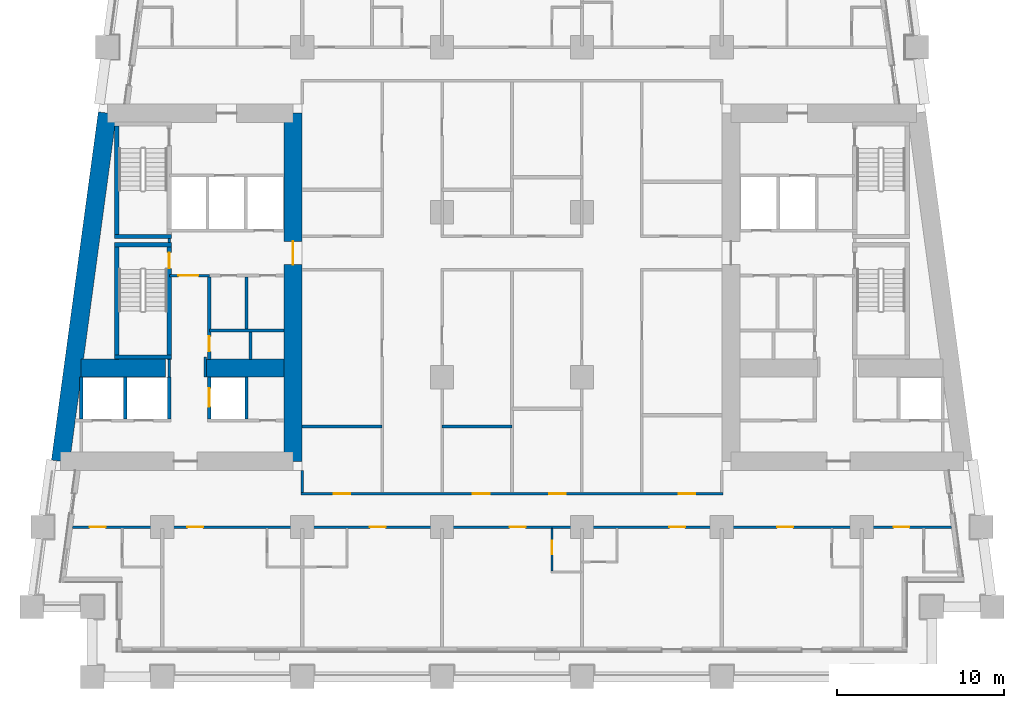
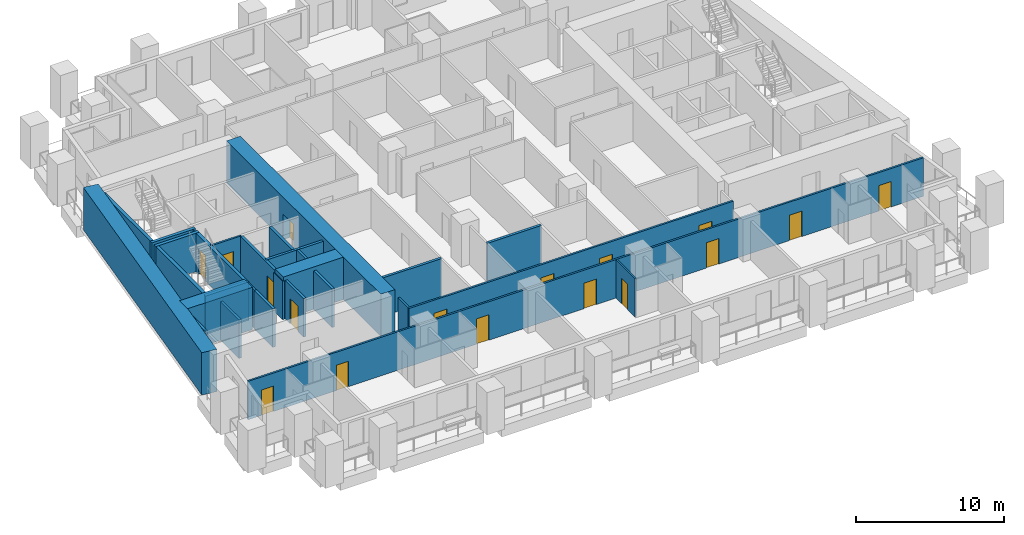
# One storey, part 3 of 13: 29 walls, 17 doors, 17 openings.
"""IFC4 building model written with IfcOpenShell, lengths in metres."""

from ifc_helpers import new_model, si_unit, direction, frame, frame_2d, origin, place, context, subcontext, project, spatial, rectangle, extrude, material, layer, layer_set, type_object, element, fill, save


model = new_model("IFC4")

# Units and contexts
model_context = context("Model", 3, precision=1e-05, world=origin(), true_north=direction((0.0, 1.0)))
body_context = subcontext(model_context, "Body", "Model", "MODEL_VIEW")
ifc_project = project(units=[si_unit("LENGTHUNIT", "METRE"), si_unit("AREAUNIT", "SQUARE_METRE"), si_unit("VOLUMEUNIT", "CUBIC_METRE"), si_unit("PLANEANGLEUNIT", "RADIAN"), si_unit("MASSUNIT", "GRAM", prefix="KILO")], contexts=[model_context])

# Site, building, storey
site_placement = place(None, origin())
site = spatial("IfcSite", under=ifc_project, at=site_placement, CompositionType="ELEMENT")
building_placement = place(site_placement, origin())
building = spatial("IfcBuilding", under=site, at=building_placement, Name="Candeia Pilgrim Tower and Theatre", CompositionType="ELEMENT")
storey_placement = place(building_placement, frame((0.0, 0.0, 63.5)))
storey = spatial("IfcBuildingStorey", under=building, at=storey_placement, Name="L13", CompositionType="ELEMENT", Elevation=63.5)

# Wall, opening, door
ifc_material_1 = material(Name="Concrete C80/95", Category="concrete")
ifc_layer_1 = layer(ifc_material_1, 1.10009765625)
ifc_layer_set_1 = layer_set([ifc_layer_1], Name="Core wall 1100 C80/95")
wall_type_1 = type_object("IfcWallType", Name="Core wall 1100 C80/95", PredefinedType="SHEAR", material=ifc_layer_set_1)
wall_1_placement = place(storey_placement, frame((100.25, 131.85009765625, 0.0), z_axis=(0.0, 0.0, 1.0), x_axis=(0.0, -1.0, 0.0)))
wall_1 = element("IfcWall", 1, at=wall_1_placement, inside=storey, type_object=wall_type_1, Name="Core wall W2", PredefinedType="SHEAR", context=body_context, shape_type="SweptSolid", body=[
    extrude(rectangle(XDim=20.900146484375, YDim=1.10009765625, at=frame_2d((10.4501953125, 0.0))), origin(), (0.0, 0.0, 1.0), 3.5),
])
opening_1_placement = place(wall_1_placement, frame((7.699951171875, 0.0, 0.0)))
opening_1 = element("IfcOpeningElement", 2, at=opening_1_placement, cuts=wall_1, Name="Opening L13-D061", PredefinedType="OPENING", context=body_context, shape_type="SweptSolid", body=[
    extrude(rectangle(XDim=1.39990234375, YDim=2.10009765625, at=frame_2d((0.699951171875, 1.050048828125))), frame((0.0, 0.56005859375, 0.0), z_axis=(0.0, -1.0, 0.0), x_axis=(1.0, 0.0, 0.0)), (0.0, 0.0, 1.0), 1.1201171875),
])
ifc_material_2 = material(Name="Steel fire door set", Category="steel")
door_type_1 = type_object("IfcDoorType", Name="D-1400-FD60", OperationType="NOTDEFINED", PredefinedType="DOOR", material=ifc_material_2)
door_1_placement = place(opening_1_placement, origin())
door_1 = element("IfcDoor", 3, at=door_1_placement, inside=storey, type_object=door_type_1, Name="Door L13-D061", OperationType="SINGLE_SWING_RIGHT", OverallHeight=2.10009765625, OverallWidth=1.39990234375, PredefinedType="DOOR", context=body_context, shape_type="SweptSolid", body=[
    extrude(rectangle(XDim=1.39990234375, YDim=2.10009765625, at=frame_2d((0.699951171875, 1.050048828125))), frame((0.0, 0.02490234375, 0.0), z_axis=(0.0, -1.0, 0.0), x_axis=(1.0, 0.0, 0.0)), (0.0, 0.0, 1.0), 0.050048828125),
])
fill(opening_1, door_1)

# Walls
wall_2_placement = place(storey_placement, frame((86.29833984375, 110.949951171875, 0.0), z_axis=(0.0, 0.0, 1.0), x_axis=(0.133400422634, 0.99106222168, 0.0)))
element("IfcWall", 4, at=wall_2_placement, inside=storey, type_object=wall_type_1, Name="Core wall W4", PredefinedType="SHEAR", context=body_context, shape_type="SweptSolid", body=[
    extrude(rectangle(XDim=21.088623046875, YDim=1.10009765625, at=frame_2d((10.54443359375, 0.0))), origin(), (0.0, 0.0, 1.0), 3.5),
])
wall_3_placement = place(storey_placement, frame((87.523193359375, 116.550048828125, 0.0), z_axis=(0.0, 0.0, 1.0), x_axis=(1.0, 0.0, 0.0)))
element("IfcWall", 5, at=wall_3_placement, inside=storey, type_object=wall_type_1, Name="Core wall W5", PredefinedType="SHEAR", context=body_context, shape_type="SweptSolid", body=[
    extrude(rectangle(XDim=5.076904296875, YDim=1.10009765625, at=frame_2d((2.53857421875, 0.0))), origin(), (0.0, 0.0, 1.0), 3.5),
])
wall_4_placement = place(storey_placement, frame((95.0, 116.550048828125, 0.0), z_axis=(0.0, 0.0, 1.0), x_axis=(1.0, 0.0, 0.0)))
element("IfcWall", 6, at=wall_4_placement, inside=storey, type_object=wall_type_1, Name="Core wall W6", PredefinedType="SHEAR", context=body_context, shape_type="SweptSolid", body=[
    extrude(rectangle(XDim=4.699951171875, YDim=1.10009765625, at=frame_2d((2.35009765625, 0.0))), origin(), (0.0, 0.0, 1.0), 3.5),
])

# Wall, opening, door
ifc_material_3 = material(Name="Gypsum board partition on steel studs", Category="steel")
ifc_layer_2 = layer(ifc_material_3, 0.10009765625)
ifc_layer_set_2 = layer_set([ifc_layer_2], Name="PW-100 room partition")
wall_type_2 = type_object("IfcWallType", Name="PW-100 room partition", PredefinedType="PARTITIONING", material=ifc_layer_set_2)
wall_5_placement = place(storey_placement, frame((115.800048828125, 104.35009765625, 0.0), z_axis=(0.0, 0.0, 1.0), x_axis=(0.0, 1.0, 0.0)))
wall_5 = element("IfcWall", 7, at=wall_5_placement, inside=storey, type_object=wall_type_2, Name="Room partition L13-092", PredefinedType="PARTITIONING", context=body_context, shape_type="SweptSolid", body=[
    extrude(rectangle(XDim=2.574951171875, YDim=0.10009765625, at=frame_2d((1.28759765625, 0.0))), origin(), (0.0, 0.0, 1.0), 3.179931640625),
])
opening_2_placement = place(wall_5_placement, frame((1.02001953125, 0.0, 0.0)))
opening_2 = element("IfcOpeningElement", 8, at=opening_2_placement, cuts=wall_5, Name="Opening L13-D023", PredefinedType="OPENING", context=body_context, shape_type="SweptSolid", body=[
    extrude(rectangle(XDim=0.800048828125, YDim=2.10009765625, at=frame_2d((0.39990234375, 1.050048828125))), frame((0.0, 0.06005859375, 0.0), z_axis=(0.0, -1.0, 0.0), x_axis=(1.0, 0.0, 0.0)), (0.0, 0.0, 1.0), 0.1201171875),
])
ifc_material_4 = material(Name="Timber door leaf", Category="wood")
door_type_2 = type_object("IfcDoorType", Name="D-800", OperationType="NOTDEFINED", PredefinedType="DOOR", material=ifc_material_4)
door_2_placement = place(opening_2_placement, origin())
door_2 = element("IfcDoor", 9, at=door_2_placement, inside=storey, type_object=door_type_2, Name="Door L13-D023", OperationType="SINGLE_SWING_RIGHT", OverallHeight=2.10009765625, OverallWidth=0.800048828125, PredefinedType="DOOR", context=body_context, shape_type="SweptSolid", body=[
    extrude(rectangle(XDim=0.800048828125, YDim=2.10009765625, at=frame_2d((0.39990234375, 1.050048828125))), frame((0.0, 0.02490234375, 0.0), z_axis=(0.0, -1.0, 0.0), x_axis=(1.0, 0.0, 0.0)), (0.0, 0.0, 1.0), 0.050048828125),
])
fill(opening_2, door_2)

ifc_layer_3 = layer(ifc_material_3, 0.14990234375)
ifc_layer_set_3 = layer_set([ifc_layer_3], Name="PW-150 lobby wall")
wall_type_3 = type_object("IfcWallType", Name="PW-150 lobby wall", PredefinedType="PARTITIONING", material=ifc_layer_set_3)
wall_6_placement = place(storey_placement, frame((92.826904296875, 122.10009765625, 0.0), z_axis=(0.0, 0.0, 1.0), x_axis=(1.0, 0.0, 0.0)))
wall_6 = element("IfcWall", 10, at=wall_6_placement, inside=storey, type_object=wall_type_3, Name="Lobby wall L13-023", PredefinedType="PARTITIONING", context=body_context, shape_type="SweptSolid", body=[
    extrude(rectangle(XDim=2.400146484375, YDim=0.14990234375, at=frame_2d((1.2001953125, 0.0))), origin(), (0.0, 0.0, 1.0), 3.179931640625),
])
opening_3_placement = place(wall_6_placement, frame((0.550048828125, 0.0, 0.0)))
opening_3 = element("IfcOpeningElement", 11, at=opening_3_placement, cuts=wall_6, Name="Opening L13-D001", PredefinedType="OPENING", context=body_context, shape_type="SweptSolid", body=[
    extrude(rectangle(XDim=1.199951171875, YDim=2.10009765625, at=frame_2d((0.60009765625, 1.050048828125))), frame((0.0, 0.0849609375, 0.0), z_axis=(0.0, -1.0, 0.0), x_axis=(1.0, 0.0, 0.0)), (0.0, 0.0, 1.0), 0.169921875),
])
door_type_3 = type_object("IfcDoorType", Name="D-1200-FD60", OperationType="NOTDEFINED", PredefinedType="DOOR", material=ifc_material_2)
door_3_placement = place(opening_3_placement, origin())
door_3 = element("IfcDoor", 12, at=door_3_placement, inside=storey, type_object=door_type_3, Name="Door L13-D001", OperationType="SINGLE_SWING_RIGHT", OverallHeight=2.10009765625, OverallWidth=1.199951171875, PredefinedType="DOOR", context=body_context, shape_type="SweptSolid", body=[
    extrude(rectangle(XDim=1.199951171875, YDim=2.10009765625, at=frame_2d((0.60009765625, 1.050048828125))), frame((0.0, 0.02490234375, 0.0), z_axis=(0.0, -1.0, 0.0), x_axis=(1.0, 0.0, 0.0)), (0.0, 0.0, 1.0), 0.050048828125),
])
fill(opening_3, door_3)

# Walls
wall_7_placement = place(storey_placement, frame((92.826904296875, 116.0, 0.0), z_axis=(0.0, 0.0, 1.0), x_axis=(0.0, 1.0, 0.0)))
element("IfcWall", 13, at=wall_7_placement, inside=storey, type_object=wall_type_3, Name="Lobby wall L13-062", PredefinedType="PARTITIONING", context=body_context, shape_type="SweptSolid", body=[
    extrude(rectangle(XDim=1.070068359375, YDim=0.14990234375, at=frame_2d((0.53515625, 0.0))), origin(), (0.0, 0.0, 1.0), 3.179931640625),
])
wall_8_placement = place(storey_placement, frame((92.826904296875, 124.074951171875, 0.0), z_axis=(0.0, 0.0, 1.0), x_axis=(0.0, 1.0, 0.0)))
element("IfcWall", 14, at=wall_8_placement, inside=storey, type_object=wall_type_3, Name="Lobby wall L13-063", PredefinedType="PARTITIONING", context=body_context, shape_type="SweptSolid", body=[
    extrude(rectangle(XDim=0.25, YDim=0.14990234375, at=frame_2d((0.125, 0.0))), origin(), (0.0, 0.0, 1.0), 3.179931640625),
])
wall_9_placement = place(storey_placement, frame((95.0, 116.0, 0.0), z_axis=(0.0, 0.0, 1.0), x_axis=(0.0, 1.0, 0.0)))
element("IfcWall", 15, at=wall_9_placement, inside=storey, type_object=wall_type_3, Name="Lobby wall L13-067", PredefinedType="PARTITIONING", context=body_context, shape_type="SweptSolid", body=[
    extrude(rectangle(XDim=1.199951171875, YDim=0.14990234375, at=frame_2d((0.60009765625, 0.0))), origin(), (0.0, 0.0, 1.0), 3.179931640625),
])

# Wall, openings, doors
ifc_layer_4 = layer(ifc_material_3, 0.14990234375)
ifc_layer_set_4 = layer_set([ifc_layer_4], Name="PW-150 unit wall")
wall_type_4 = type_object("IfcWallType", Name="PW-150 unit wall", PredefinedType="PARTITIONING", material=ifc_layer_set_4)
wall_10_placement = place(storey_placement, frame((87.017578125, 107.0, 0.0), z_axis=(0.0, 0.0, 1.0), x_axis=(1.0, 0.0, 0.0)))
wall_10 = element("IfcWall", 16, at=wall_10_placement, inside=storey, type_object=wall_type_4, Name="Unit wall L13-007", PredefinedType="PARTITIONING", context=body_context, shape_type="SweptSolid", body=[
    extrude(rectangle(XDim=52.7646484375, YDim=0.14990234375, at=frame_2d((26.38232421875, 0.0))), origin(), (0.0, 0.0, 1.0), 3.179931640625),
])
opening_4_placement = place(wall_10_placement, frame((1.0322265625, 0.0, 0.0)))
opening_4 = element("IfcOpeningElement", 17, at=opening_4_placement, cuts=wall_10, Name="Opening L13-D016", PredefinedType="OPENING", context=body_context, shape_type="SweptSolid", body=[
    extrude(rectangle(XDim=0.949951171875, YDim=2.10009765625, at=frame_2d((0.47509765625, 1.050048828125))), frame((0.0, 0.0849609375, 0.0), z_axis=(0.0, -1.0, 0.0), x_axis=(1.0, 0.0, 0.0)), (0.0, 0.0, 1.0), 0.169921875),
])
opening_5_placement = place(wall_10_placement, frame((6.894287109375, 0.0, 0.0)))
opening_5 = element("IfcOpeningElement", 18, at=opening_5_placement, cuts=wall_10, Name="Opening L13-D018", PredefinedType="OPENING", context=body_context, shape_type="SweptSolid", body=[
    extrude(rectangle(XDim=0.949951171875, YDim=2.10009765625, at=frame_2d((0.47509765625, 1.050048828125))), frame((0.0, 0.0849609375, 0.0), z_axis=(0.0, -1.0, 0.0), x_axis=(1.0, 0.0, 0.0)), (0.0, 0.0, 1.0), 0.169921875),
])
opening_6_placement = place(wall_10_placement, frame((17.84423828125, 0.0, 0.0)))
opening_6 = element("IfcOpeningElement", 19, at=opening_6_placement, cuts=wall_10, Name="Opening L13-D020", PredefinedType="OPENING", context=body_context, shape_type="SweptSolid", body=[
    extrude(rectangle(XDim=0.949951171875, YDim=2.10009765625, at=frame_2d((0.47509765625, 1.050048828125))), frame((0.0, 0.0849609375, 0.0), z_axis=(0.0, -1.0, 0.0), x_axis=(1.0, 0.0, 0.0)), (0.0, 0.0, 1.0), 0.169921875),
])
opening_7_placement = place(wall_10_placement, frame((26.245361328125, 0.0, 0.0)))
opening_7 = element("IfcOpeningElement", 20, at=opening_7_placement, cuts=wall_10, Name="Opening L13-D022", PredefinedType="OPENING", context=body_context, shape_type="SweptSolid", body=[
    extrude(rectangle(XDim=0.949951171875, YDim=2.10009765625, at=frame_2d((0.47509765625, 1.050048828125))), frame((0.0, 0.0849609375, 0.0), z_axis=(0.0, -1.0, 0.0), x_axis=(1.0, 0.0, 0.0)), (0.0, 0.0, 1.0), 0.169921875),
])
opening_8_placement = place(wall_10_placement, frame((35.822265625, 0.0, 0.0)))
opening_8 = element("IfcOpeningElement", 21, at=opening_8_placement, cuts=wall_10, Name="Opening L13-D024", PredefinedType="OPENING", context=body_context, shape_type="SweptSolid", body=[
    extrude(rectangle(XDim=0.949951171875, YDim=2.10009765625, at=frame_2d((0.47509765625, 1.050048828125))), frame((0.0, 0.0849609375, 0.0), z_axis=(0.0, -1.0, 0.0), x_axis=(1.0, 0.0, 0.0)), (0.0, 0.0, 1.0), 0.169921875),
])
opening_9_placement = place(wall_10_placement, frame((42.30224609375, 0.0, 0.0)))
opening_9 = element("IfcOpeningElement", 22, at=opening_9_placement, cuts=wall_10, Name="Opening L13-D026", PredefinedType="OPENING", context=body_context, shape_type="SweptSolid", body=[
    extrude(rectangle(XDim=0.949951171875, YDim=2.10009765625, at=frame_2d((0.47509765625, 1.050048828125))), frame((0.0, 0.0849609375, 0.0), z_axis=(0.0, -1.0, 0.0), x_axis=(1.0, 0.0, 0.0)), (0.0, 0.0, 1.0), 0.169921875),
])
opening_10_placement = place(wall_10_placement, frame((49.285400390625, 0.0, 0.0)))
opening_10 = element("IfcOpeningElement", 23, at=opening_10_placement, cuts=wall_10, Name="Opening L13-D028", PredefinedType="OPENING", context=body_context, shape_type="SweptSolid", body=[
    extrude(rectangle(XDim=0.949951171875, YDim=2.10009765625, at=frame_2d((0.47509765625, 1.050048828125))), frame((0.0, 0.0849609375, 0.0), z_axis=(0.0, -1.0, 0.0), x_axis=(1.0, 0.0, 0.0)), (0.0, 0.0, 1.0), 0.169921875),
])
door_type_4 = type_object("IfcDoorType", Name="D-950-FD30S", OperationType="NOTDEFINED", PredefinedType="DOOR", material=ifc_material_2)
door_4_placement = place(opening_4_placement, origin())
door_4 = element("IfcDoor", 24, at=door_4_placement, inside=storey, type_object=door_type_4, Name="Door L13-D016", OperationType="SINGLE_SWING_LEFT", OverallHeight=2.10009765625, OverallWidth=0.949951171875, PredefinedType="DOOR", context=body_context, shape_type="SweptSolid", body=[
    extrude(rectangle(XDim=0.949951171875, YDim=2.10009765625, at=frame_2d((0.47509765625, 1.050048828125))), frame((0.0, 0.02490234375, 0.0), z_axis=(0.0, -1.0, 0.0), x_axis=(1.0, 0.0, 0.0)), (0.0, 0.0, 1.0), 0.050048828125),
])
fill(opening_4, door_4)
door_5_placement = place(opening_5_placement, origin())
door_5 = element("IfcDoor", 25, at=door_5_placement, inside=storey, type_object=door_type_4, Name="Door L13-D018", OperationType="SINGLE_SWING_LEFT", OverallHeight=2.10009765625, OverallWidth=0.949951171875, PredefinedType="DOOR", context=body_context, shape_type="SweptSolid", body=[
    extrude(rectangle(XDim=0.949951171875, YDim=2.10009765625, at=frame_2d((0.47509765625, 1.050048828125))), frame((0.0, 0.02490234375, 0.0), z_axis=(0.0, -1.0, 0.0), x_axis=(1.0, 0.0, 0.0)), (0.0, 0.0, 1.0), 0.050048828125),
])
fill(opening_5, door_5)
door_6_placement = place(opening_6_placement, origin())
door_6 = element("IfcDoor", 26, at=door_6_placement, inside=storey, type_object=door_type_4, Name="Door L13-D020", OperationType="SINGLE_SWING_LEFT", OverallHeight=2.10009765625, OverallWidth=0.949951171875, PredefinedType="DOOR", context=body_context, shape_type="SweptSolid", body=[
    extrude(rectangle(XDim=0.949951171875, YDim=2.10009765625, at=frame_2d((0.47509765625, 1.050048828125))), frame((0.0, 0.02490234375, 0.0), z_axis=(0.0, -1.0, 0.0), x_axis=(1.0, 0.0, 0.0)), (0.0, 0.0, 1.0), 0.050048828125),
])
fill(opening_6, door_6)
door_7_placement = place(opening_7_placement, origin())
door_7 = element("IfcDoor", 27, at=door_7_placement, inside=storey, type_object=door_type_4, Name="Door L13-D022", OperationType="SINGLE_SWING_LEFT", OverallHeight=2.10009765625, OverallWidth=0.949951171875, PredefinedType="DOOR", context=body_context, shape_type="SweptSolid", body=[
    extrude(rectangle(XDim=0.949951171875, YDim=2.10009765625, at=frame_2d((0.47509765625, 1.050048828125))), frame((0.0, 0.02490234375, 0.0), z_axis=(0.0, -1.0, 0.0), x_axis=(1.0, 0.0, 0.0)), (0.0, 0.0, 1.0), 0.050048828125),
])
fill(opening_7, door_7)
door_8_placement = place(opening_8_placement, origin())
door_8 = element("IfcDoor", 28, at=door_8_placement, inside=storey, type_object=door_type_4, Name="Door L13-D024", OperationType="SINGLE_SWING_LEFT", OverallHeight=2.10009765625, OverallWidth=0.949951171875, PredefinedType="DOOR", context=body_context, shape_type="SweptSolid", body=[
    extrude(rectangle(XDim=0.949951171875, YDim=2.10009765625, at=frame_2d((0.47509765625, 1.050048828125))), frame((0.0, 0.02490234375, 0.0), z_axis=(0.0, -1.0, 0.0), x_axis=(1.0, 0.0, 0.0)), (0.0, 0.0, 1.0), 0.050048828125),
])
fill(opening_8, door_8)
door_9_placement = place(opening_9_placement, origin())
door_9 = element("IfcDoor", 29, at=door_9_placement, inside=storey, type_object=door_type_4, Name="Door L13-D026", OperationType="SINGLE_SWING_LEFT", OverallHeight=2.10009765625, OverallWidth=0.949951171875, PredefinedType="DOOR", context=body_context, shape_type="SweptSolid", body=[
    extrude(rectangle(XDim=0.949951171875, YDim=2.10009765625, at=frame_2d((0.47509765625, 1.050048828125))), frame((0.0, 0.02490234375, 0.0), z_axis=(0.0, -1.0, 0.0), x_axis=(1.0, 0.0, 0.0)), (0.0, 0.0, 1.0), 0.050048828125),
])
fill(opening_9, door_9)
door_10_placement = place(opening_10_placement, origin())
door_10 = element("IfcDoor", 30, at=door_10_placement, inside=storey, type_object=door_type_4, Name="Door L13-D028", OperationType="SINGLE_SWING_LEFT", OverallHeight=2.10009765625, OverallWidth=0.949951171875, PredefinedType="DOOR", context=body_context, shape_type="SweptSolid", body=[
    extrude(rectangle(XDim=0.949951171875, YDim=2.10009765625, at=frame_2d((0.47509765625, 1.050048828125))), frame((0.0, 0.02490234375, 0.0), z_axis=(0.0, -1.0, 0.0), x_axis=(1.0, 0.0, 0.0)), (0.0, 0.0, 1.0), 0.050048828125),
])
fill(opening_10, door_10)

wall_11_placement = place(storey_placement, frame((100.72509765625, 109.0, 0.0), z_axis=(0.0, 0.0, 1.0), x_axis=(1.0, 0.0, 0.0)))
wall_11 = element("IfcWall", 31, at=wall_11_placement, inside=storey, type_object=wall_type_4, Name="Unit wall L13-008", PredefinedType="PARTITIONING", context=body_context, shape_type="SweptSolid", body=[
    extrude(rectangle(XDim=25.349853515625, YDim=0.14990234375, at=frame_2d((12.6748046875, 0.0))), origin(), (0.0, 0.0, 1.0), 3.179931640625),
])
opening_11_placement = place(wall_11_placement, frame((1.97509765625, 0.0, 0.0)))
opening_11 = element("IfcOpeningElement", 32, at=opening_11_placement, cuts=wall_11, Name="Opening L13-D043", PredefinedType="OPENING", context=body_context, shape_type="SweptSolid", body=[
    extrude(rectangle(XDim=1.0, YDim=2.10009765625, at=frame_2d((0.5, 1.050048828125))), frame((0.0, 0.0849609375, 0.0), z_axis=(0.0, -1.0, 0.0), x_axis=(1.0, 0.0, 0.0)), (0.0, 0.0, 1.0), 0.169921875),
])
opening_12_placement = place(wall_11_placement, frame((10.324951171875, 0.0, 0.0)))
opening_12 = element("IfcOpeningElement", 33, at=opening_12_placement, cuts=wall_11, Name="Opening L13-D047", PredefinedType="OPENING", context=body_context, shape_type="SweptSolid", body=[
    extrude(rectangle(XDim=1.0, YDim=2.10009765625, at=frame_2d((0.5, 1.050048828125))), frame((0.0, 0.0849609375, 0.0), z_axis=(0.0, -1.0, 0.0), x_axis=(1.0, 0.0, 0.0)), (0.0, 0.0, 1.0), 0.169921875),
])
opening_13_placement = place(wall_11_placement, frame((14.89990234375, 0.0, 0.0)))
opening_13 = element("IfcOpeningElement", 34, at=opening_13_placement, cuts=wall_11, Name="Opening L13-D051", PredefinedType="OPENING", context=body_context, shape_type="SweptSolid", body=[
    extrude(rectangle(XDim=1.0, YDim=2.10009765625, at=frame_2d((0.5, 1.050048828125))), frame((0.0, 0.0849609375, 0.0), z_axis=(0.0, -1.0, 0.0), x_axis=(1.0, 0.0, 0.0)), (0.0, 0.0, 1.0), 0.169921875),
])
opening_14_placement = place(wall_11_placement, frame((22.68505859375, 0.0, 0.0)))
opening_14 = element("IfcOpeningElement", 35, at=opening_14_placement, cuts=wall_11, Name="Opening L13-D055", PredefinedType="OPENING", context=body_context, shape_type="SweptSolid", body=[
    extrude(rectangle(XDim=1.0, YDim=2.10009765625, at=frame_2d((0.5, 1.050048828125))), frame((0.0, 0.0849609375, 0.0), z_axis=(0.0, -1.0, 0.0), x_axis=(1.0, 0.0, 0.0)), (0.0, 0.0, 1.0), 0.169921875),
])
door_type_5 = type_object("IfcDoorType", Name="D-1000-FD30S", OperationType="NOTDEFINED", PredefinedType="DOOR", material=ifc_material_2)
door_11_placement = place(opening_11_placement, origin())
door_11 = element("IfcDoor", 36, at=door_11_placement, inside=storey, type_object=door_type_5, Name="Door L13-D043", OperationType="SINGLE_SWING_RIGHT", OverallHeight=2.10009765625, OverallWidth=1.0, PredefinedType="DOOR", context=body_context, shape_type="SweptSolid", body=[
    extrude(rectangle(XDim=1.0, YDim=2.10009765625, at=frame_2d((0.5, 1.050048828125))), frame((0.0, 0.02490234375, 0.0), z_axis=(0.0, -1.0, 0.0), x_axis=(1.0, 0.0, 0.0)), (0.0, 0.0, 1.0), 0.050048828125),
])
fill(opening_11, door_11)
door_12_placement = place(opening_12_placement, origin())
door_12 = element("IfcDoor", 37, at=door_12_placement, inside=storey, type_object=door_type_5, Name="Door L13-D047", OperationType="SINGLE_SWING_RIGHT", OverallHeight=2.10009765625, OverallWidth=1.0, PredefinedType="DOOR", context=body_context, shape_type="SweptSolid", body=[
    extrude(rectangle(XDim=1.0, YDim=2.10009765625, at=frame_2d((0.5, 1.050048828125))), frame((0.0, 0.02490234375, 0.0), z_axis=(0.0, -1.0, 0.0), x_axis=(1.0, 0.0, 0.0)), (0.0, 0.0, 1.0), 0.050048828125),
])
fill(opening_12, door_12)
door_13_placement = place(opening_13_placement, origin())
door_13 = element("IfcDoor", 38, at=door_13_placement, inside=storey, type_object=door_type_5, Name="Door L13-D051", OperationType="SINGLE_SWING_RIGHT", OverallHeight=2.10009765625, OverallWidth=1.0, PredefinedType="DOOR", context=body_context, shape_type="SweptSolid", body=[
    extrude(rectangle(XDim=1.0, YDim=2.10009765625, at=frame_2d((0.5, 1.050048828125))), frame((0.0, 0.02490234375, 0.0), z_axis=(0.0, -1.0, 0.0), x_axis=(1.0, 0.0, 0.0)), (0.0, 0.0, 1.0), 0.050048828125),
])
fill(opening_13, door_13)
door_14_placement = place(opening_14_placement, origin())
door_14 = element("IfcDoor", 39, at=door_14_placement, inside=storey, type_object=door_type_5, Name="Door L13-D055", OperationType="SINGLE_SWING_RIGHT", OverallHeight=2.10009765625, OverallWidth=1.0, PredefinedType="DOOR", context=body_context, shape_type="SweptSolid", body=[
    extrude(rectangle(XDim=1.0, YDim=2.10009765625, at=frame_2d((0.5, 1.050048828125))), frame((0.0, 0.02490234375, 0.0), z_axis=(0.0, -1.0, 0.0), x_axis=(1.0, 0.0, 0.0)), (0.0, 0.0, 1.0), 0.050048828125),
])
fill(opening_14, door_14)

# Walls
wall_12_placement = place(storey_placement, frame((100.800048828125, 109.074951171875, 0.0), z_axis=(0.0, 0.0, 1.0), x_axis=(0.0, 1.0, 0.0)))
element("IfcWall", 40, at=wall_12_placement, inside=storey, type_object=wall_type_4, Name="Unit wall L13-079", PredefinedType="PARTITIONING", context=body_context, shape_type="SweptSolid", body=[
    extrude(rectangle(XDim=1.324951171875, YDim=0.14990234375, at=frame_2d((0.66259765625, 0.0))), origin(), (0.0, 0.0, 1.0), 3.179931640625),
])
ifc_layer_5 = layer(ifc_material_3, 0.199951171875)
ifc_layer_set_5 = layer_set([ifc_layer_5], Name="PW-200 party wall")
wall_type_5 = type_object("IfcWallType", Name="PW-200 party wall", PredefinedType="PARTITIONING", material=ifc_layer_set_5)
wall_13_placement = place(storey_placement, frame((100.800048828125, 113.034912109375, 0.0), z_axis=(0.0, 0.0, 1.0), x_axis=(1.0, 0.0, 0.0)))
element("IfcWall", 41, at=wall_13_placement, inside=storey, type_object=wall_type_5, Name="Party wall L13-009", PredefinedType="PARTITIONING", context=body_context, shape_type="SweptSolid", body=[
    extrude(rectangle(XDim=4.800048828125, YDim=0.199951171875, at=frame_2d((2.39990234375, 0.0))), origin(), (0.0, 0.0, 1.0), 3.179931640625),
])
wall_14_placement = place(storey_placement, frame((109.199951171875, 113.034912109375, 0.0), z_axis=(0.0, 0.0, 1.0), x_axis=(1.0, 0.0, 0.0)))
element("IfcWall", 42, at=wall_14_placement, inside=storey, type_object=wall_type_5, Name="Party wall L13-010", PredefinedType="PARTITIONING", context=body_context, shape_type="SweptSolid", body=[
    extrude(rectangle(XDim=4.199951171875, YDim=0.199951171875, at=frame_2d((2.10009765625, 0.0))), origin(), (0.0, 0.0, 1.0), 3.179931640625),
])
ifc_material_5 = material(Name="Concrete C40/50", Category="concrete")
ifc_layer_6 = layer(ifc_material_5, 0.199951171875)
ifc_layer_set_6 = layer_set([ifc_layer_6], Name="SW-200 shaft wall")
wall_type_6 = type_object("IfcWallType", Name="SW-200 shaft wall", PredefinedType="PARTITIONING", material=ifc_layer_set_6)
wall_15_placement = place(storey_placement, frame((95.22705078125, 118.800048828125, 0.0), z_axis=(0.0, 0.0, 1.0), x_axis=(1.0, 0.0, 0.0)))
element("IfcWall", 43, at=wall_15_placement, inside=storey, type_object=wall_type_6, Name="Shaft wall L13-019", PredefinedType="PARTITIONING", context=body_context, shape_type="SweptSolid", body=[
    extrude(rectangle(XDim=4.472900390625, YDim=0.199951171875, at=frame_2d((2.236328125, 0.0))), origin(), (0.0, 0.0, 1.0), 3.179931640625),
])
for number, where, z_axis, x_axis, name in (
    (44, (87.552001953125, 113.5, 0.0), (0.0, 0.0, 1.0), (0.0, 1.0, 0.0), "Shaft wall L13-054"),
    (45, (90.178466796875, 113.5, 0.0), (0.0, 0.0, 1.0), (0.0, 1.0, 0.0), "Shaft wall L13-059"),
    (46, (92.826904296875, 113.5, 0.0), (0.0, 0.0, 1.0), (0.0, 1.0, 0.0), "Shaft wall L13-061"),
):
    element("IfcWall", number, at=place(storey_placement, frame(where, z_axis=z_axis, x_axis=x_axis)), inside=storey, type_object=wall_type_6, Name=name, PredefinedType="PARTITIONING", context=body_context, shape_type="SweptSolid", body=[
        extrude(rectangle(XDim=2.5, YDim=0.199951171875, at=frame_2d((1.25, 0.0))), origin(), (0.0, 0.0, 1.0), 3.179931640625),
    ])

# Wall, opening, door
wall_16_placement = place(storey_placement, frame((95.22705078125, 113.5, 0.0), z_axis=(0.0, 0.0, 1.0), x_axis=(0.0, 1.0, 0.0)))
wall_16 = element("IfcWall", 47, at=wall_16_placement, inside=storey, type_object=wall_type_6, Name="Shaft wall L13-069", PredefinedType="PARTITIONING", context=body_context, shape_type="SweptSolid", body=[
    extrude(rectangle(XDim=2.5, YDim=0.199951171875, at=frame_2d((1.25, 0.0))), origin(), (0.0, 0.0, 1.0), 3.179931640625),
])
opening_15_placement = place(wall_16_placement, frame((0.72998046875, 0.0, 0.0)))
opening_15 = element("IfcOpeningElement", 48, at=opening_15_placement, cuts=wall_16, Name="Opening L13-LD05", PredefinedType="OPENING", context=body_context, shape_type="SweptSolid", body=[
    extrude(rectangle(XDim=1.10009765625, YDim=2.10009765625, at=frame_2d((0.550048828125, 1.050048828125))), frame((0.0, 0.10986328125, 0.0), z_axis=(0.0, -1.0, 0.0), x_axis=(1.0, 0.0, 0.0)), (0.0, 0.0, 1.0), 0.219970703125),
])
ifc_material_6 = material(Name="Glazed aluminium landing door", Category="aluminium")
door_type_6 = type_object("IfcDoorType", Name="LD-1100-EI120", OperationType="SLIDING_TO_LEFT", PredefinedType="DOOR", material=ifc_material_6)
door_15_placement = place(opening_15_placement, origin())
door_15 = element("IfcDoor", 49, at=door_15_placement, inside=storey, type_object=door_type_6, Name="Landing door 05 L13", OperationType="SLIDING_TO_LEFT", OverallHeight=2.10009765625, OverallWidth=1.10009765625, PredefinedType="DOOR", context=body_context, shape_type="SweptSolid", body=[
    extrude(rectangle(XDim=1.10009765625, YDim=2.10009765625, at=frame_2d((0.550048828125, 1.050048828125))), frame((0.0, 0.02490234375, 0.0), z_axis=(0.0, -1.0, 0.0), x_axis=(1.0, 0.0, 0.0)), (0.0, 0.0, 1.0), 0.050048828125),
])
fill(opening_15, door_15)

wall_17_placement = place(storey_placement, frame((95.22705078125, 117.070068359375, 0.0), z_axis=(0.0, 0.0, 1.0), x_axis=(0.0, 1.0, 0.0)))
wall_17 = element("IfcWall", 50, at=wall_17_placement, inside=storey, type_object=wall_type_6, Name="Shaft wall L13-070", PredefinedType="PARTITIONING", context=body_context, shape_type="SweptSolid", body=[
    extrude(rectangle(XDim=4.929931640625, YDim=0.199951171875, at=frame_2d((2.46484375, 0.0))), origin(), (0.0, 0.0, 1.0), 3.179931640625),
])
opening_16_placement = place(wall_17_placement, frame((0.47998046875, 0.0, 0.0)))
opening_16 = element("IfcOpeningElement", 51, at=opening_16_placement, cuts=wall_17, Name="Opening L13-D006", PredefinedType="OPENING", context=body_context, shape_type="SweptSolid", body=[
    extrude(rectangle(XDim=0.89990234375, YDim=2.10009765625, at=frame_2d((0.449951171875, 1.050048828125))), frame((0.0, 0.10986328125, 0.0), z_axis=(0.0, -1.0, 0.0), x_axis=(1.0, 0.0, 0.0)), (0.0, 0.0, 1.0), 0.219970703125),
])
door_type_7 = type_object("IfcDoorType", Name="D-900-FD60", OperationType="NOTDEFINED", PredefinedType="DOOR", material=ifc_material_2)
door_16_placement = place(opening_16_placement, origin())
door_16 = element("IfcDoor", 52, at=door_16_placement, inside=storey, type_object=door_type_7, Name="Door L13-D006", OperationType="SINGLE_SWING_LEFT", OverallHeight=2.10009765625, OverallWidth=0.89990234375, PredefinedType="DOOR", context=body_context, shape_type="SweptSolid", body=[
    extrude(rectangle(XDim=0.89990234375, YDim=2.10009765625, at=frame_2d((0.449951171875, 1.050048828125))), frame((0.0, 0.02490234375, 0.0), z_axis=(0.0, -1.0, 0.0), x_axis=(1.0, 0.0, 0.0)), (0.0, 0.0, 1.0), 0.050048828125),
])
fill(opening_16, door_16)

# Walls
wall_18_placement = place(storey_placement, frame((97.46337890625, 113.5, 0.0), z_axis=(0.0, 0.0, 1.0), x_axis=(0.0, 1.0, 0.0)))
element("IfcWall", 53, at=wall_18_placement, inside=storey, type_object=wall_type_6, Name="Shaft wall L13-073", PredefinedType="PARTITIONING", context=body_context, shape_type="SweptSolid", body=[
    extrude(rectangle(XDim=2.5, YDim=0.199951171875, at=frame_2d((1.25, 0.0))), origin(), (0.0, 0.0, 1.0), 3.179931640625),
])
wall_19_placement = place(storey_placement, frame((97.46337890625, 118.89990234375, 0.0), z_axis=(0.0, 0.0, 1.0), x_axis=(0.0, 1.0, 0.0)))
element("IfcWall", 54, at=wall_19_placement, inside=storey, type_object=wall_type_6, Name="Shaft wall L13-074", PredefinedType="PARTITIONING", context=body_context, shape_type="SweptSolid", body=[
    extrude(rectangle(XDim=3.10009765625, YDim=0.199951171875, at=frame_2d((1.550048828125, 0.0))), origin(), (0.0, 0.0, 1.0), 3.179931640625),
])
wall_20_placement = place(storey_placement, frame((97.699951171875, 117.070068359375, 0.0), z_axis=(0.0, 0.0, 1.0), x_axis=(0.0, 1.0, 0.0)))
element("IfcWall", 55, at=wall_20_placement, inside=storey, type_object=wall_type_6, Name="Shaft wall L13-075", PredefinedType="PARTITIONING", context=body_context, shape_type="SweptSolid", body=[
    extrude(rectangle(XDim=1.6298828125, YDim=0.199951171875, at=frame_2d((0.81494140625, 0.0))), origin(), (0.0, 0.0, 1.0), 3.179931640625),
])
ifc_layer_7 = layer(ifc_material_5, 0.25)
ifc_layer_set_7 = layer_set([ifc_layer_7], Name="SW-250 stair wall")
wall_type_7 = type_object("IfcWallType", Name="SW-250 stair wall", PredefinedType="PARTITIONING", material=ifc_layer_set_7)
for number, where, z_axis, x_axis, name in (
    (56, (89.552001953125, 117.199951171875, 0.0), (0.0, 0.0, 1.0), (1.0, 0.0, 0.0), "Stair wall L13-017"),
    (57, (89.552001953125, 123.949951171875, 0.0), (0.0, 0.0, 1.0), (1.0, 0.0, 0.0), "Stair wall L13-028"),
    (58, (89.552001953125, 124.449951171875, 0.0), (0.0, 0.0, 1.0), (1.0, 0.0, 0.0), "Stair wall L13-030"),
):
    element("IfcWall", number, at=place(storey_placement, frame(where, z_axis=z_axis, x_axis=x_axis)), inside=storey, type_object=wall_type_7, Name=name, PredefinedType="PARTITIONING", context=body_context, shape_type="SweptSolid", body=[
        extrude(rectangle(XDim=3.39990234375, YDim=0.25, at=frame_2d((1.699951171875, 0.0))), origin(), (0.0, 0.0, 1.0), 3.179931640625),
    ])
wall_21_placement = place(storey_placement, frame((89.677001953125, 117.070068359375, 0.0), z_axis=(0.0, 0.0, 1.0), x_axis=(0.0, 1.0, 0.0)))
element("IfcWall", 59, at=wall_21_placement, inside=storey, type_object=wall_type_7, Name="Stair wall L13-056", PredefinedType="PARTITIONING", context=body_context, shape_type="SweptSolid", body=[
    extrude(rectangle(XDim=6.7548828125, YDim=0.25, at=frame_2d((3.37744140625, 0.0))), origin(), (0.0, 0.0, 1.0), 3.179931640625),
])
wall_22_placement = place(storey_placement, frame((89.677001953125, 124.574951171875, 0.0), z_axis=(0.0, 0.0, 1.0), x_axis=(0.0, 1.0, 0.0)))
element("IfcWall", 60, at=wall_22_placement, inside=storey, type_object=wall_type_7, Name="Stair wall L13-057", PredefinedType="PARTITIONING", context=body_context, shape_type="SweptSolid", body=[
    extrude(rectangle(XDim=6.5, YDim=0.25, at=frame_2d((3.25, 0.0))), origin(), (0.0, 0.0, 1.0), 3.179931640625),
])

# Wall, opening, door
wall_23_placement = place(storey_placement, frame((92.826904296875, 117.070068359375, 0.0), z_axis=(0.0, 0.0, 1.0), x_axis=(0.0, 1.0, 0.0)))
wall_23 = element("IfcWall", 61, at=wall_23_placement, inside=storey, type_object=wall_type_7, Name="Stair wall L13-064", PredefinedType="PARTITIONING", context=body_context, shape_type="SweptSolid", body=[
    extrude(rectangle(XDim=6.7548828125, YDim=0.25, at=frame_2d((3.37744140625, 0.0))), origin(), (0.0, 0.0, 1.0), 3.179931640625),
])
opening_17_placement = place(wall_23_placement, frame((5.455078125, 0.0, 0.0)))
opening_17 = element("IfcOpeningElement", 62, at=opening_17_placement, cuts=wall_23, Name="Opening L13-D004", PredefinedType="OPENING", context=body_context, shape_type="SweptSolid", body=[
    extrude(rectangle(XDim=0.949951171875, YDim=2.10009765625, at=frame_2d((0.47509765625, 1.050048828125))), frame((0.0, 0.135009765625, 0.0), z_axis=(0.0, -1.0, 0.0), x_axis=(1.0, 0.0, 0.0)), (0.0, 0.0, 1.0), 0.27001953125),
])
door_type_8 = type_object("IfcDoorType", Name="D-950-FD60", OperationType="NOTDEFINED", PredefinedType="DOOR", material=ifc_material_2)
door_17_placement = place(opening_17_placement, origin())
door_17 = element("IfcDoor", 63, at=door_17_placement, inside=storey, type_object=door_type_8, Name="Door L13-D004", OperationType="SINGLE_SWING_LEFT", OverallHeight=2.10009765625, OverallWidth=0.949951171875, PredefinedType="DOOR", context=body_context, shape_type="SweptSolid", body=[
    extrude(rectangle(XDim=0.949951171875, YDim=2.10009765625, at=frame_2d((0.47509765625, 1.050048828125))), frame((0.0, 0.02490234375, 0.0), z_axis=(0.0, -1.0, 0.0), x_axis=(1.0, 0.0, 0.0)), (0.0, 0.0, 1.0), 0.050048828125),
])
fill(opening_17, door_17)

save(model, "model.ifc")
